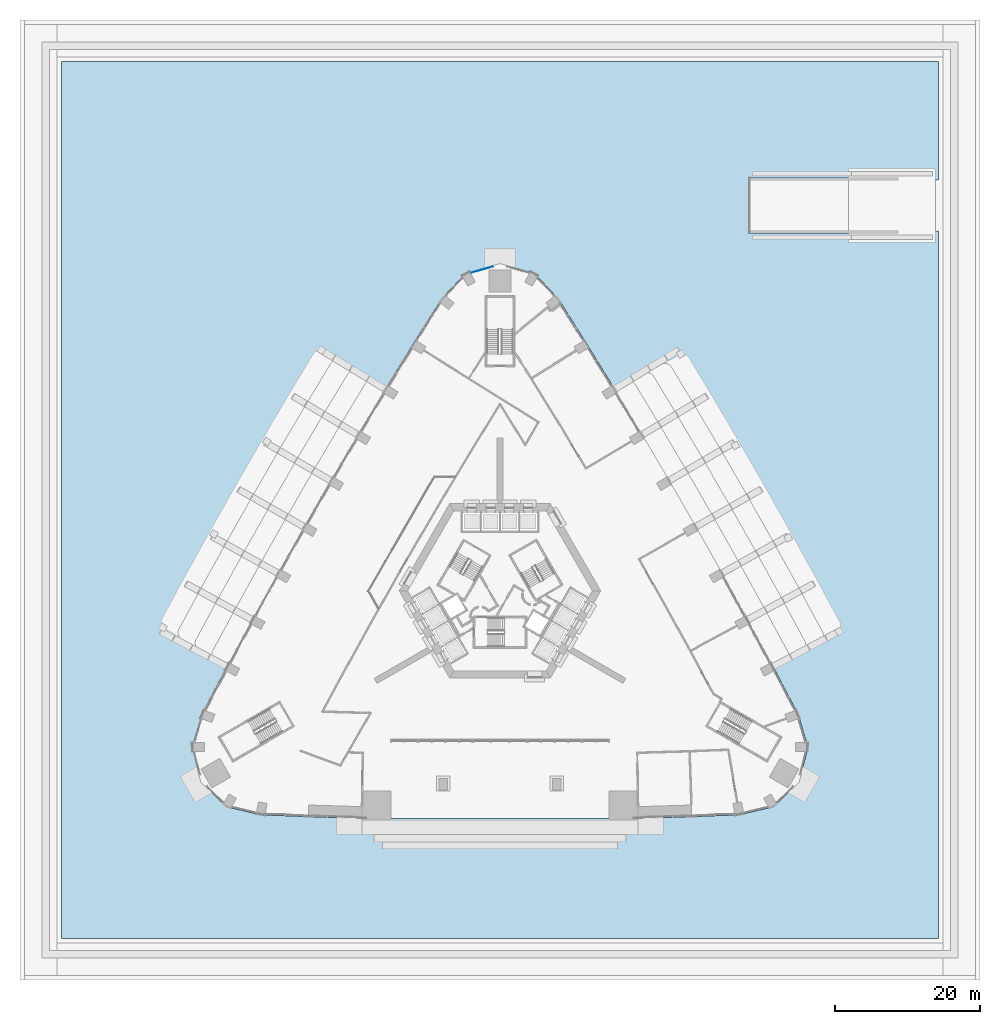
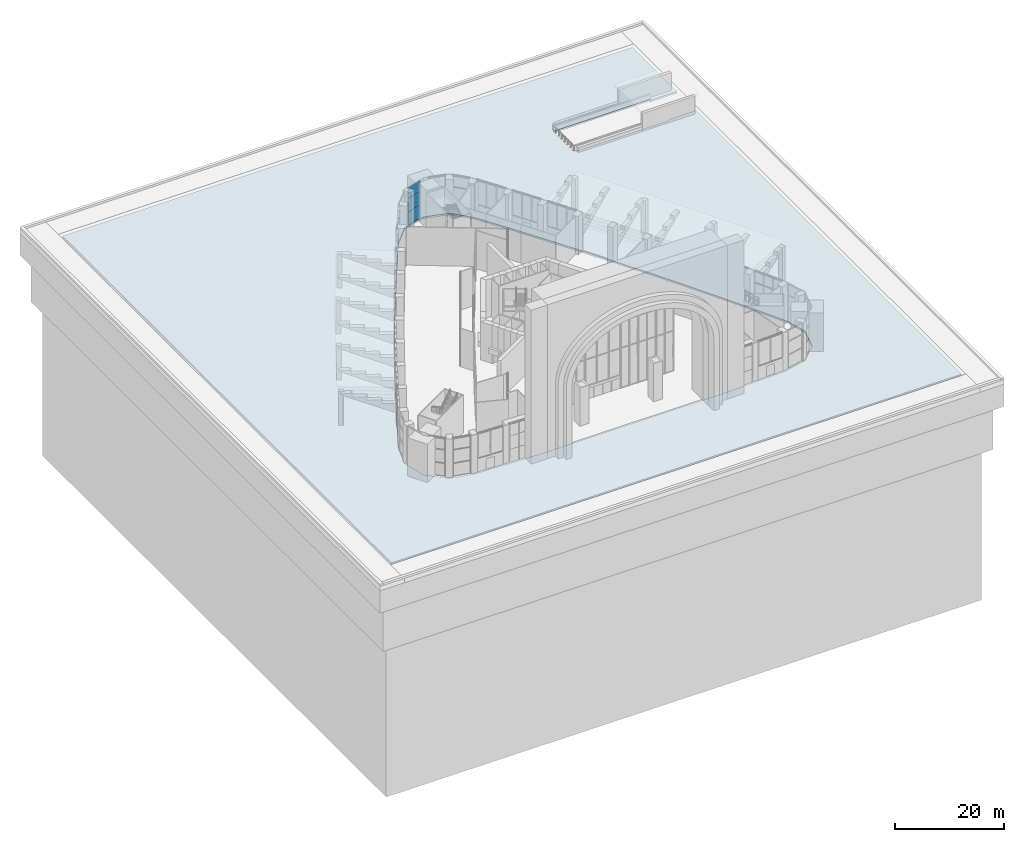
# One storey, part 13 of 36: 3 plates, 1 slab, 1 element without a shape of its own.
"""IFC4 building model written with IfcOpenShell, lengths in metres."""

from ifc_helpers import new_model, si_unit, direction, frame, origin, origin_2d, place, context, subcontext, project, spatial, polyline, rectangle, outline, extrude, material, layer, layer_set, type_object, element, aggregate, save


model = new_model("IFC4")

# Units and contexts
model_context = context("Model", 3, precision=1e-05, world=origin(), true_north=direction((0.0, 1.0)))
body_context = subcontext(model_context, "Body", "Model", "MODEL_VIEW")
ifc_project = project(units=[si_unit("LENGTHUNIT", "METRE"), si_unit("AREAUNIT", "SQUARE_METRE"), si_unit("VOLUMEUNIT", "CUBIC_METRE"), si_unit("PLANEANGLEUNIT", "RADIAN"), si_unit("MASSUNIT", "GRAM", prefix="KILO")], contexts=[model_context])

# Site, building, storey
site_placement = place(None, origin())
site = spatial("IfcSite", under=ifc_project, at=site_placement, CompositionType="ELEMENT")
building_placement = place(site_placement, origin())
building = spatial("IfcBuilding", under=site, at=building_placement, Name="Entoto Arch Interchange Tower", CompositionType="ELEMENT")
storey_placement = place(building_placement, origin())
storey = spatial("IfcBuildingStorey", under=building, at=storey_placement, Name="L00", CompositionType="ELEMENT", Elevation=0.0)

# Curtain wall, plates
ifc_material_1 = material(Name="Aluminium, anodised", Category="aluminium")
curtain_wall_type = type_object("IfcCurtainWallType", Name="CURTAIN WALL GATE HALL", PredefinedType="NOTDEFINED", material=ifc_material_1)
curtain_wall_placement = place(storey_placement, origin())
curtain_wall = element("IfcCurtainWall", 1, at=curtain_wall_placement, inside=storey, type_object=curtain_wall_type, Name="Gate Hall glazing N-03 L00", PredefinedType="NOTDEFINED")
ifc_material_2 = material(Name="Clear glass, low-e double glazed", Category="glass")
ifc_layer_1 = layer(ifc_material_2, 0.030029296875)
ifc_layer_set_1 = layer_set([ifc_layer_1], Name="Clear glass, low-e double glazed")
plate_type = type_object("IfcPlateType", Name="GLAZING PANEL GATE HALL 30", PredefinedType="CURTAIN_PANEL", material=ifc_layer_set_1)
plate_1_placement = place(storey_placement, frame((-2.486572265625, 46.676025390625, 0.080078125), z_axis=(0.0, 0.0, 1.0), x_axis=(-0.961934452437, -0.273280275934, 0.0)))
plate_1 = element("IfcPlate", 2, at=plate_1_placement, type_object=plate_type, Name="CWG panel 1.1", PredefinedType="CURTAIN_PANEL", context=body_context, shape_type="SweptSolid", body=[
    extrude(rectangle(XDim=3.1005859375, YDim=0.030029296875, at=origin_2d()), origin(), (0.0, 0.0, 1.0), 2.8798828125),
])
plate_2_placement = place(storey_placement, frame((-2.486572265625, 46.676025390625, 3.0400390625), z_axis=(0.0, 0.0, 1.0), x_axis=(-0.961934452437, -0.273280275934, 0.0)))
plate_2 = element("IfcPlate", 3, at=plate_2_placement, type_object=plate_type, Name="CWG panel 1.2", PredefinedType="CURTAIN_PANEL", context=body_context, shape_type="SweptSolid", body=[
    extrude(rectangle(XDim=3.1005859375, YDim=0.030029296875, at=origin_2d()), origin(), (0.0, 0.0, 1.0), 2.919921875),
])
plate_3_placement = place(storey_placement, frame((-2.486572265625, 46.676025390625, 6.0400390625), z_axis=(0.0, 0.0, 1.0), x_axis=(-0.961934452437, -0.273280275934, 0.0)))
plate_3 = element("IfcPlate", 4, at=plate_3_placement, type_object=plate_type, Name="CWG panel 1.3", PredefinedType="CURTAIN_PANEL", context=body_context, shape_type="SweptSolid", body=[
    extrude(rectangle(XDim=3.1005859375, YDim=0.030029296875, at=origin_2d()), origin(), (0.0, 0.0, 1.0), 2.429931640625),
])
aggregate(curtain_wall, [plate_1, plate_2, plate_3])

# Slab
ifc_material_3 = material(Name="Concrete C40/50", Category="concrete")
ifc_layer_2 = layer(ifc_material_3, 0.39990234375)
ifc_layer_set_2 = layer_set([ifc_layer_2], Name="Concrete C40/50")
slab_type = type_object("IfcSlabType", Name="Post-tensioned plaza deck 400 C40/50", PredefinedType="ROOF", material=ifc_layer_set_2)
slab_placement = place(storey_placement, frame((0.0, 0.0, -0.60009765625)))
element("IfcSlab", 5, at=slab_placement, inside=storey, type_object=slab_type, Name="Plaza deck", PredefinedType="ROOF", context=body_context, shape_type="SweptSolid", body=[
    extrude(outline(polyline([(-60.300048828125, -45.300048828125), (60.300048828125, -45.300048828125), (60.300048828125, 52.0), (54.699951171875, 52.0), (54.699951171875, 51.699951171875), (34.300048828125, 51.699951171875), (34.300048828125, 59.300048828125), (54.699951171875, 59.300048828125), (54.699951171875, 59.0), (60.300048828125, 59.0), (60.300048828125, 75.300048828125), (-60.300048828125, 75.300048828125), (-60.300048828125, -45.300048828125)]), holes=[polyline([(-19.0, -28.761962890625), (19.0, -28.761962890625), (26.376953125, -28.5400390625), (32.910888671875, -28.283935546875), (37.618896484375, -27.179931640625), (41.14697265625, -23.756103515625), (42.347900390625, -18.989013671875), (40.990966796875, -14.43798828125), (37.548095703125, -7.903076171875), (34.072998046875, -1.458984375), (30.535888671875, 4.949951171875), (26.93701171875, 11.325927734375), (23.277099609375, 17.6650390625), (19.554931640625, 23.969970703125), (15.77294921875, 30.238037109375), (11.929931640625, 36.469970703125), (7.991943359375, 42.718017578125), (4.72900390625, 46.1689453125), (0.0, 47.511962890625), (-4.72900390625, 46.1689453125), (-7.991943359375, 42.718017578125), (-11.929931640625, 36.469970703125), (-15.77294921875, 30.238037109375), (-19.554931640625, 23.969970703125), (-23.277099609375, 17.6650390625), (-26.93701171875, 11.325927734375), (-30.535888671875, 4.949951171875), (-34.072998046875, -1.458984375), (-37.548095703125, -7.903076171875), (-40.990966796875, -14.43798828125), (-42.347900390625, -18.989013671875), (-41.14697265625, -23.756103515625), (-37.618896484375, -27.179931640625), (-32.910888671875, -28.283935546875), (-26.376953125, -28.5400390625), (-19.0, -28.761962890625)])]), origin(), (0.0, 0.0, 1.0), 0.400146484375),
])

save(model, "model.ifc")
